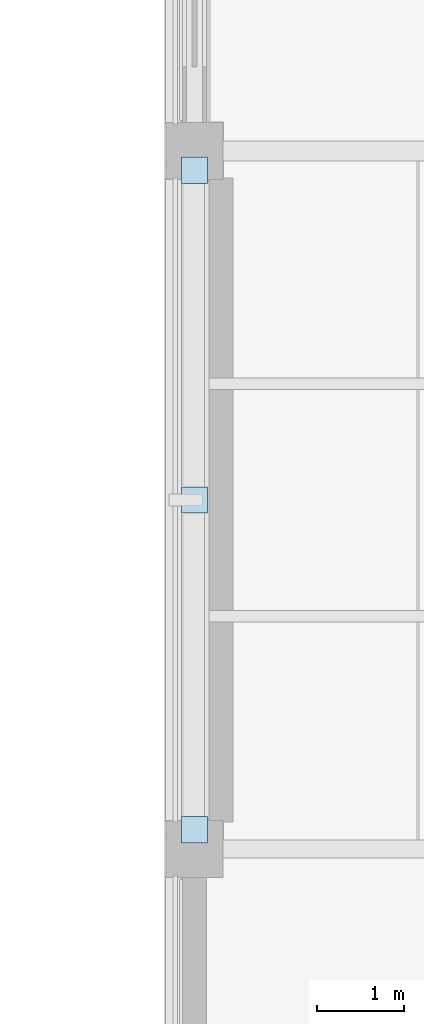
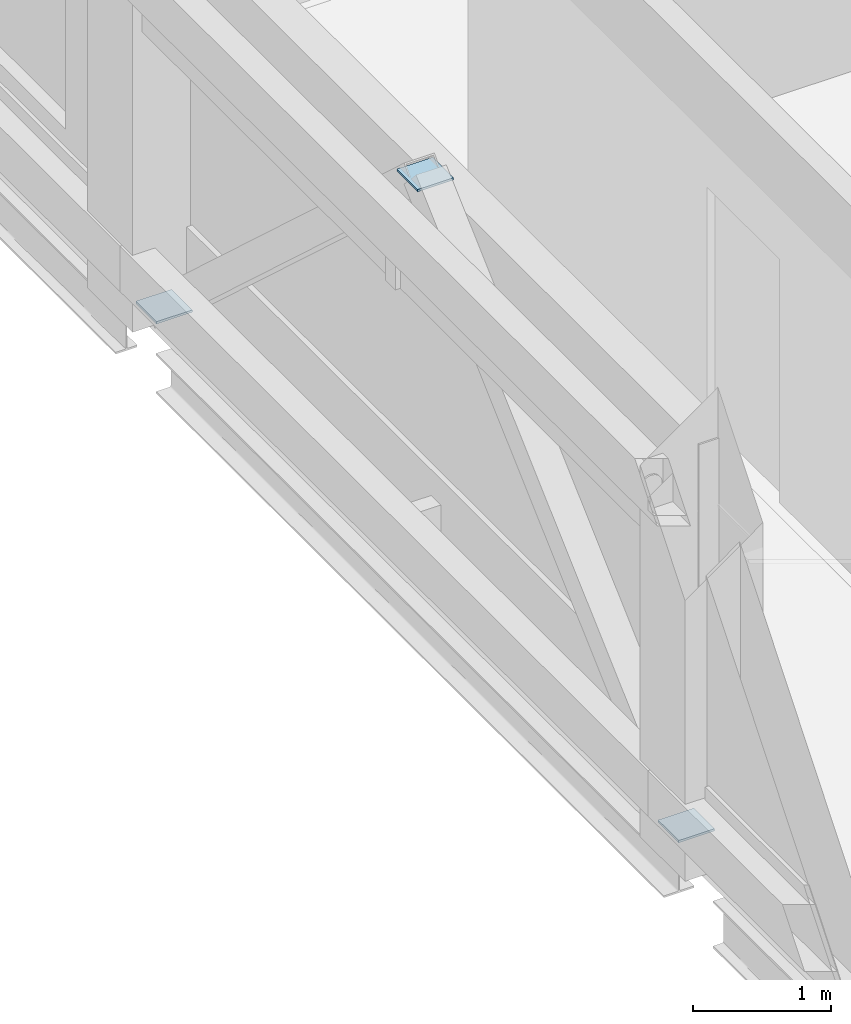
# One storey, part 71 of 107: 3 plates.
"""IFC4 building model written with IfcOpenShell, lengths in metres."""

import ifcopenshell
import ifcopenshell.guid

model = None  # the IFC model being written
_history = None  # IfcOwnerHistory: only IFC2X3 demands one
_inside = {}  # id of a spatial element -> (the spatial element, [elements in it])
_under = {}  # id of a project, library or spatial element -> (it, [spatial elements below it])
_declared = {}  # id of a project -> (the project, [libraries it declares])
_typed = {}  # id of a type object -> (the type object, [elements of that type])
_made_of = {}  # id of a material, layer set ... -> (it, [elements and type objects made of it])


def new_model(schema):
    """Start an empty IFC model of exactly this schema.

    Asked for "IFC4X3", IfcOpenShell would pick the latest addendum, in which some entities
    have other attributes; the version numbers below select the first issue.
    IFC2X3 requires an IfcOwnerHistory on every rooted entity: one is made here for all.
    """
    global model, _history
    if schema == "IFC4X3":
        model = ifcopenshell.file(schema_version=(4, 3, 0, 0))
    else:
        model = ifcopenshell.file(schema=schema)
    _inside.clear()
    _under.clear()
    _declared.clear()
    _typed.clear()
    _made_of.clear()
    _history = None
    if model.schema == "IFC2X3":
        org = make("IfcOrganization", Name="unknown")
        user = make(
            "IfcPersonAndOrganization",
            ThePerson=make("IfcPerson", FamilyName="unknown"),
            TheOrganization=org,
        )
        app = make(
            "IfcApplication",
            ApplicationDeveloper=org,
            Version="unknown",
            ApplicationFullName="unknown",
            ApplicationIdentifier="unknown",
        )
        _history = make(
            "IfcOwnerHistory",
            OwningUser=user,
            OwningApplication=app,
            ChangeAction="ADDED",
            CreationDate=0,
        )
    return model


def make(cls, **values):
    """One entity of the class cls with the attributes given. An attribute that is None is left unset."""
    return model.create_entity(
        cls, **{name: value for name, value in values.items() if value is not None}
    )


def rooted(cls, **values):
    """An entity with a GlobalId (a new one), such as an element, a storey or a relation."""
    return make(cls, GlobalId=ifcopenshell.guid.new(), OwnerHistory=_history, **values)


def si_unit(unit_type, name, prefix=None):
    """IfcSIUnit, for example si_unit("LENGTHUNIT", "METRE", prefix="MILLI")."""
    return make("IfcSIUnit", UnitType=unit_type, Prefix=prefix, Name=name)


def derived_unit(unit_type, elements):
    """IfcDerivedUnit: a product of units, each with its exponent."""
    return make(
        "IfcDerivedUnit",
        Elements=[
            make("IfcDerivedUnitElement", Unit=unit, Exponent=power)
            for unit, power in elements
        ],
        UnitType=unit_type,
    )


def assignment(units):
    """IfcUnitAssignment: the units of a project."""
    return None if units is None else make("IfcUnitAssignment", Units=units)


def point(xyz):
    """IfcCartesianPoint."""
    return None if xyz is None else make("IfcCartesianPoint", Coordinates=xyz)


def direction(xyz):
    """IfcDirection."""
    return None if xyz is None else make("IfcDirection", DirectionRatios=xyz)


def frame(location, z_axis=None, x_axis=None):
    """IfcAxis2Placement3D, a coordinate frame: its origin and axes. An axis left out is left unset."""
    return make(
        "IfcAxis2Placement3D",
        Location=point(location),
        Axis=direction(z_axis),
        RefDirection=direction(x_axis),
    )


def frame_2d(location, x_axis=None):
    """IfcAxis2Placement2D, a coordinate frame in the plane: its origin and x axis."""
    return make(
        "IfcAxis2Placement2D", Location=point(location), RefDirection=direction(x_axis)
    )


def origin():
    """The frame at (0, 0, 0) with its axes left unset."""
    return frame((0.0, 0.0, 0.0))


def origin_2d():
    """The frame at (0, 0) in the plane with its x axis left unset."""
    return frame_2d((0.0, 0.0))


def place(relative_to, where):
    """IfcLocalPlacement: puts the frame where relative to a parent placement (None: the world)."""
    return make(
        "IfcLocalPlacement", PlacementRelTo=relative_to, RelativePlacement=where
    )


def context(
    kind, dimensions, precision=None, world=None, true_north=None, identifier=None
):
    """IfcGeometricRepresentationContext, for example the 3D "Model" context."""
    return make(
        "IfcGeometricRepresentationContext",
        ContextIdentifier=identifier,
        ContextType=kind,
        CoordinateSpaceDimension=dimensions,
        Precision=precision,
        WorldCoordinateSystem=world,
        TrueNorth=true_north,
    )


def subcontext(parent, identifier, kind, view, scale=None):
    """IfcGeometricRepresentationSubContext, for example "Body" below "Model"."""
    return make(
        "IfcGeometricRepresentationSubContext",
        ContextIdentifier=identifier,
        ContextType=kind,
        ParentContext=parent,
        TargetScale=scale,
        TargetView=view,
    )


def project(units=None, contexts=None):
    """IfcProject with its units and contexts."""
    return rooted(
        "IfcProject",
        Name="project",
        RepresentationContexts=contexts,
        UnitsInContext=assignment(units),
    )


def spatial(cls, under=None, at=None, **own):
    """A site, building, storey or space (cls), placed at a placement, below another one or the project."""
    s = rooted(cls, ObjectPlacement=at, **own)
    if under is not None:
        _under.setdefault(under.id(), (under, []))[1].append(s)
    return s


def profile(cls, at=None, kind="AREA", **sizes):
    """A parametric profile (cls). Its sizes go by their IFC names, for example OverallWidth=200.0."""
    return make(cls, ProfileType=kind, Position=at, **sizes)


def rectangle(**sizes):
    """IfcRectangleProfileDef."""
    return profile("IfcRectangleProfileDef", **sizes)


def extrude(swept, where, along, depth):
    """IfcExtrudedAreaSolid: the profile swept, set in the frame where, extruded along a direction by depth."""
    return make(
        "IfcExtrudedAreaSolid",
        SweptArea=swept,
        Position=where,
        ExtrudedDirection=direction(along),
        Depth=depth,
    )


def shape(context_of_items, identifier, shape_type, items):
    """IfcShapeRepresentation: the items that make up one representation, for example the "Body"."""
    return make(
        "IfcShapeRepresentation",
        ContextOfItems=context_of_items,
        RepresentationIdentifier=identifier,
        RepresentationType=shape_type,
        Items=items,
    )


def material(Name=None, Category=None):
    """IfcMaterial."""
    return make("IfcMaterial", Name=Name, Category=Category)


def layer(
    of_material, thickness, ventilated=None, Name=None, Category=None, Priority=None
):
    """IfcMaterialLayer: one layer of a wall or slab, of a material (None: an air gap)."""
    return make(
        "IfcMaterialLayer",
        Material=of_material,
        LayerThickness=thickness,
        IsVentilated=ventilated,
        Name=Name,
        Category=Category,
        Priority=Priority,
    )


def layer_set(layers, Name=None):
    """IfcMaterialLayerSet."""
    return make("IfcMaterialLayerSet", MaterialLayers=layers, LayerSetName=Name)


def made_of(thing, what):
    """Note that an element or type object is made of a material, layer set ...; save() writes the relation."""
    if what is not None:
        _made_of.setdefault(what.id(), (what, []))[1].append(thing)
    return thing


def type_object(cls, material=None, **own):
    """A type object (cls), such as IfcWallType, which elements share."""
    return made_of(rooted(cls, **own), material)


def element(
    cls,
    number,
    at=None,
    inside=None,
    cuts=None,
    type_object=None,
    material=None,
    context=None,
    identifier="Body",
    shape_type=None,
    held_by="IfcProductDefinitionShape",
    body=None,
    shapes=None,
    **own,
):
    """One element of the class cls, such as IfcWall. Its Tag is "e" and its number.

    at: its placement. inside: the storey or other place that contains it. cuts: it is an
    opening in that element (IfcRelVoidsElement). A single representation is given by context,
    identifier, shape_type and body (its items); several are given by shapes. held_by: the class
    of the entity that holds the representations. save() writes the other relations.
    """
    e = rooted(cls, Tag="e%d" % number, ObjectPlacement=at, **own)
    if body is not None:
        shapes = [shape(context, identifier, shape_type, body)]
    if shapes is not None:
        e.Representation = make(held_by, Representations=shapes)
    if inside is not None:
        _inside.setdefault(inside.id(), (inside, []))[1].append(e)
    if cuts is not None:
        rooted(
            "IfcRelVoidsElement", RelatingBuildingElement=cuts, RelatedOpeningElement=e
        )
    if type_object is not None:
        _typed.setdefault(type_object.id(), (type_object, []))[1].append(e)
    return made_of(e, material)


def aggregate(whole, parts):
    """IfcRelAggregates: a whole, such as a stair, and the parts it consists of."""
    return rooted("IfcRelAggregates", RelatingObject=whole, RelatedObjects=parts)


def save(model, path):
    """Write the relations noted so far, then the file.

    IfcRelAggregates (storeys below a building ...), IfcRelContainedInSpatialStructure (elements
    in a storey), IfcRelDefinesByType, IfcRelAssociatesMaterial and IfcRelDeclares: one each for
    every whole, place, type object, material and project.
    """
    for whole, parts in _under.values():
        aggregate(whole, parts)
    for where, things in _inside.values():
        rooted(
            "IfcRelContainedInSpatialStructure",
            RelatedElements=things,
            RelatingStructure=where,
        )
    for kind, things in _typed.values():
        rooted("IfcRelDefinesByType", RelatedObjects=things, RelatingType=kind)
    for what, things in _made_of.values():
        rooted("IfcRelAssociatesMaterial", RelatedObjects=things, RelatingMaterial=what)
    for by, libraries in _declared.values():
        rooted("IfcRelDeclares", RelatingContext=by, RelatedDefinitions=libraries)
    model.write(path)


model = new_model("IFC4")

# Units and contexts
model_context = context("Model", 3, precision=1e-05, world=origin(), true_north=direction((0.0, 1.0)))
body_context = subcontext(model_context, "Body", "Model", "MODEL_VIEW")
ifc_project = project(units=[si_unit("LENGTHUNIT", "METRE"), si_unit("AREAUNIT", "SQUARE_METRE"), si_unit("VOLUMEUNIT", "CUBIC_METRE"), si_unit("PLANEANGLEUNIT", "RADIAN"), si_unit("MASSUNIT", "GRAM", prefix="KILO"), derived_unit("THERMALTRANSMITTANCEUNIT", [(si_unit("MASSUNIT", "GRAM", prefix="KILO"), 1), (si_unit("TIMEUNIT", "SECOND"), -3), (si_unit("THERMODYNAMICTEMPERATUREUNIT", "KELVIN"), -1)])], contexts=[model_context])

# Site, building, storey
site_placement = place(None, origin())
site = spatial("IfcSite", under=ifc_project, at=site_placement, CompositionType="ELEMENT")
building_placement = place(site_placement, origin())
building = spatial("IfcBuilding", under=site, at=building_placement, Name="Veyamyaing Civic Hall", CompositionType="ELEMENT")
storey_placement = place(building_placement, frame((0.0, 0.0, 13.860107421875)))
storey = spatial("IfcBuildingStorey", under=building, at=storey_placement, Name="L03", CompositionType="ELEMENT", Elevation=13.860107421875)

# Plates
ifc_material = material(Name="Steel S355J2", Category="steel")
ifc_layer = layer(ifc_material, 0.02001953125, Name="Steel S355J2")
ifc_layer_set = layer_set([ifc_layer], Name="Steel S355J2")
plate_type = type_object("IfcPlateType", Name="GP-01", PredefinedType="SHEET", material=ifc_layer_set)
for number, where, z_axis, x_axis, name in (
    (1, (0.0, 88.219970703125, 0.039794921875), (0.0, 0.0, 1.0), (1.0, 0.0, 0.0), "Brace base gusset plate GP-01 BF-NW L03.L"),
    (2, (0.0, 95.780029296875, 0.039794921875), (0.0, 0.0, 1.0), (1.0, 0.0, 0.0), "Brace base gusset plate GP-01 BF-NW L03.R"),
    (3, (0.0, 92.0, 3.5), (0.0, 0.0, 1.0), (1.0, 0.0, 0.0), "Brace apex gusset plate GP-01 BF-NW L03"),
):
    element("IfcPlate", number, at=place(storey_placement, frame(where, z_axis=z_axis, x_axis=x_axis)), inside=storey, type_object=plate_type, Name=name, PredefinedType="SHEET", context=body_context, shape_type="SweptSolid", body=[
        extrude(rectangle(XDim=0.300048828125, YDim=0.300048828125, at=origin_2d()), origin(), (0.0, 0.0, 1.0), 0.02001953125),
    ])

save(model, "model.ifc")
